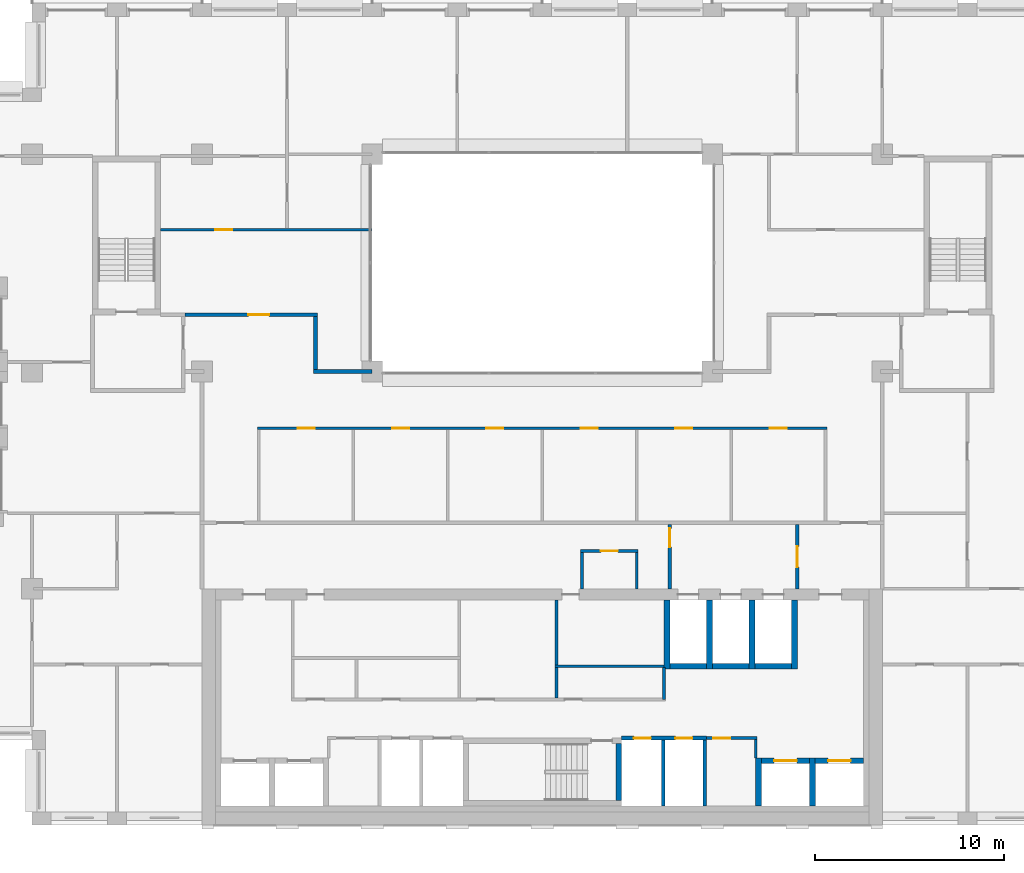
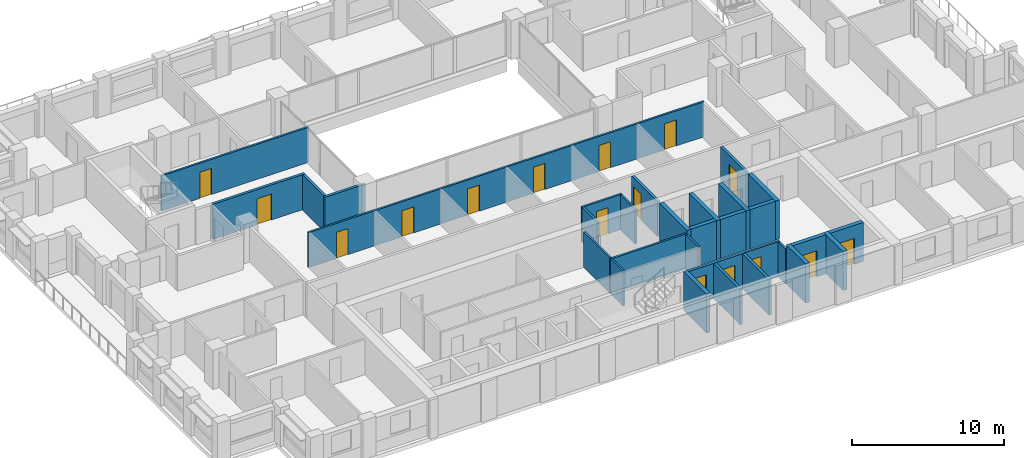
# One storey, part 10 of 15: 31 walls, 16 doors, 16 openings.
"""IFC4 building model written with IfcOpenShell, lengths in metres."""

from ifc_helpers import new_model, si_unit, direction, frame, frame_2d, origin, place, context, subcontext, project, spatial, rectangle, extrude, material, layer, layer_set, type_object, element, fill, save


model = new_model("IFC4")

# Units and contexts
model_context = context("Model", 3, precision=1e-05, world=origin(), true_north=direction((0.0, 1.0)))
body_context = subcontext(model_context, "Body", "Model", "MODEL_VIEW")
ifc_project = project(units=[si_unit("LENGTHUNIT", "METRE"), si_unit("AREAUNIT", "SQUARE_METRE"), si_unit("VOLUMEUNIT", "CUBIC_METRE"), si_unit("PLANEANGLEUNIT", "RADIAN"), si_unit("MASSUNIT", "GRAM", prefix="KILO")], contexts=[model_context])

# Site, building, storey
site_placement = place(None, origin())
site = spatial("IfcSite", under=ifc_project, at=site_placement, CompositionType="ELEMENT")
building_placement = place(site_placement, origin())
building = spatial("IfcBuilding", under=site, at=building_placement, Name="Brigalow Station Residences", CompositionType="ELEMENT")
storey_placement = place(building_placement, frame((0.0, 0.0, 153.89990234375)))
storey = spatial("IfcBuildingStorey", under=building, at=storey_placement, Name="L44", CompositionType="ELEMENT", Elevation=153.89990234375)

# Walls
ifc_material_1 = material(Name="Concrete C65", Category="concrete")
ifc_layer_1 = layer(ifc_material_1, 0.300048828125)
ifc_layer_set_1 = layer_set([ifc_layer_1], Name="CORE SHEAR WALL 300 C65")
wall_type_1 = type_object("IfcWallType", Name="CORE SHEAR WALL 300 C65", PredefinedType="SHEAR", material=ifc_layer_set_1)
wall_1_placement = place(storey_placement, frame((42.75, 8.39990234375, 0.0), z_axis=(0.0, 0.0, 1.0), x_axis=(1.0, 0.0, 0.0)))
element("IfcWall", 1, at=wall_1_placement, inside=storey, type_object=wall_type_1, Name="CORE WALL SH-FF1-S L44", PredefinedType="SHEAR", context=body_context, shape_type="SweptSolid", body=[
    extrude(rectangle(XDim=1.949951171875, YDim=0.300048828125, at=frame_2d((0.97509765625, 0.0))), origin(), (0.0, 0.0, 1.0), 3.150146484375),
])
wall_2_placement = place(storey_placement, frame((42.60009765625, 8.25, 0.0), z_axis=(0.0, 0.0, 1.0), x_axis=(0.0, 1.0, 0.0)))
element("IfcWall", 2, at=wall_2_placement, inside=storey, type_object=wall_type_1, Name="CORE WALL SH-FF1-W L44", PredefinedType="SHEAR", context=body_context, shape_type="SweptSolid", body=[
    extrude(rectangle(XDim=3.64990234375, YDim=0.300048828125, at=frame_2d((1.824951171875, 0.0))), origin(), (0.0, 0.0, 1.0), 3.150146484375),
])
wall_3_placement = place(storey_placement, frame((45.0, 8.39990234375, 0.0), z_axis=(0.0, 0.0, 1.0), x_axis=(1.0, 0.0, 0.0)))
element("IfcWall", 3, at=wall_3_placement, inside=storey, type_object=wall_type_1, Name="CORE WALL SH-FF2-S L44", PredefinedType="SHEAR", context=body_context, shape_type="SweptSolid", body=[
    extrude(rectangle(XDim=1.949951171875, YDim=0.300048828125, at=frame_2d((0.97509765625, 0.0))), origin(), (0.0, 0.0, 1.0), 3.150146484375),
])
wall_4_placement = place(storey_placement, frame((44.85009765625, 8.25, 0.0), z_axis=(0.0, 0.0, 1.0), x_axis=(0.0, 1.0, 0.0)))
element("IfcWall", 4, at=wall_4_placement, inside=storey, type_object=wall_type_1, Name="CORE WALL SH-FF2-W L44", PredefinedType="SHEAR", context=body_context, shape_type="SweptSolid", body=[
    extrude(rectangle(XDim=3.64990234375, YDim=0.300048828125, at=frame_2d((1.824951171875, 0.0))), origin(), (0.0, 0.0, 1.0), 3.150146484375),
])
wall_5_placement = place(storey_placement, frame((47.25, 8.39990234375, 0.0), z_axis=(0.0, 0.0, 1.0), x_axis=(1.0, 0.0, 0.0)))
element("IfcWall", 5, at=wall_5_placement, inside=storey, type_object=wall_type_1, Name="CORE WALL SH-SL1-S L44", PredefinedType="SHEAR", context=body_context, shape_type="SweptSolid", body=[
    extrude(rectangle(XDim=1.949951171875, YDim=0.300048828125, at=frame_2d((0.97509765625, 0.0))), origin(), (0.0, 0.0, 1.0), 3.150146484375),
])
for number, where, z_axis, x_axis, name in (
    (6, (47.10009765625, 8.25, 0.0), (0.0, 0.0, 1.0), (0.0, 1.0, 0.0), "CORE WALL SH-SL1-W L44"),
    (7, (49.35009765625, 8.25, 0.0), (0.0, 0.0, 1.0), (0.0, 1.0, 0.0), "CORE WALL SH-SL1-E L44"),
):
    element("IfcWall", number, at=place(storey_placement, frame(where, z_axis=z_axis, x_axis=x_axis)), inside=storey, type_object=wall_type_1, Name=name, PredefinedType="SHEAR", context=body_context, shape_type="SweptSolid", body=[
        extrude(rectangle(XDim=3.64990234375, YDim=0.300048828125, at=frame_2d((1.824951171875, 0.0))), origin(), (0.0, 0.0, 1.0), 3.150146484375),
    ])

# Wall, opening, door
wall_6_placement = place(storey_placement, frame((47.60009765625, 3.39990234375, 0.0), z_axis=(0.0, 0.0, 1.0), x_axis=(1.0, 0.0, 0.0)))
wall_6 = element("IfcWall", 8, at=wall_6_placement, inside=storey, type_object=wall_type_1, Name="CORE WALL SH-C3-N L44", PredefinedType="SHEAR", context=body_context, shape_type="SweptSolid", body=[
    extrude(rectangle(XDim=2.5498046875, YDim=0.300048828125, at=frame_2d((1.27490234375, 0.0))), origin(), (0.0, 0.0, 1.0), 3.150146484375),
])
opening_1_placement = place(wall_6_placement, frame((0.675048828125, 0.0, 0.0)))
opening_1 = element("IfcOpeningElement", 9, at=opening_1_placement, cuts=wall_6, Name="Opening LD-LB3", PredefinedType="OPENING", context=body_context, shape_type="SweptSolid", body=[
    extrude(rectangle(XDim=1.199951171875, YDim=2.10009765625, at=frame_2d((0.60009765625, 1.050048828125))), frame((0.0, 0.16015625, 0.0), z_axis=(0.0, -1.0, 0.0), x_axis=(1.0, 0.0, 0.0)), (0.0, 0.0, 1.0), 0.320068359375),
])
ifc_material_2 = material(Name="Stainless steel sliding door leaves", Category="steel")
door_type_1 = type_object("IfcDoorType", Name="LIFT LANDING DOOR 1200 x 2100", OperationType="DOUBLE_DOOR_SLIDING", PredefinedType="DOOR", material=ifc_material_2)
door_1_placement = place(opening_1_placement, origin())
door_1 = element("IfcDoor", 10, at=door_1_placement, inside=storey, type_object=door_type_1, Name="LANDING DOOR LB3", OperationType="DOUBLE_DOOR_SLIDING", OverallHeight=2.10009765625, OverallWidth=1.199951171875, PredefinedType="DOOR", context=body_context, shape_type="SweptSolid", body=[
    extrude(rectangle(XDim=1.199951171875, YDim=2.10009765625, at=frame_2d((0.60009765625, 1.050048828125))), frame((0.0, 0.02490234375, 0.0), z_axis=(0.0, -1.0, 0.0), x_axis=(1.0, 0.0, 0.0)), (0.0, 0.0, 1.0), 0.050048828125),
])
fill(opening_1, door_1)

# Wall
wall_7_placement = place(storey_placement, frame((47.449951171875, 1.0, 0.0), z_axis=(0.0, 0.0, 1.0), x_axis=(0.0, 1.0, 0.0)))
element("IfcWall", 11, at=wall_7_placement, inside=storey, type_object=wall_type_1, Name="CORE WALL SH-C3-W L44", PredefinedType="SHEAR", context=body_context, shape_type="SweptSolid", body=[
    extrude(rectangle(XDim=2.550048828125, YDim=0.300048828125, at=frame_2d((1.27490234375, 0.0))), origin(), (0.0, 0.0, 1.0), 3.150146484375),
])

# Wall, opening, door
wall_8_placement = place(storey_placement, frame((50.449951171875, 3.39990234375, 0.0), z_axis=(0.0, 0.0, 1.0), x_axis=(1.0, 0.0, 0.0)))
wall_8 = element("IfcWall", 12, at=wall_8_placement, inside=storey, type_object=wall_type_1, Name="CORE WALL SH-C4-N L44", PredefinedType="SHEAR", context=body_context, shape_type="SweptSolid", body=[
    extrude(rectangle(XDim=2.550048828125, YDim=0.300048828125, at=frame_2d((1.27490234375, 0.0))), origin(), (0.0, 0.0, 1.0), 3.150146484375),
])
opening_2_placement = place(wall_8_placement, frame((0.675048828125, 0.0, 0.0)))
opening_2 = element("IfcOpeningElement", 13, at=opening_2_placement, cuts=wall_8, Name="Opening LD-LB4", PredefinedType="OPENING", context=body_context, shape_type="SweptSolid", body=[
    extrude(rectangle(XDim=1.199951171875, YDim=2.10009765625, at=frame_2d((0.60009765625, 1.050048828125))), frame((0.0, 0.16015625, 0.0), z_axis=(0.0, -1.0, 0.0), x_axis=(1.0, 0.0, 0.0)), (0.0, 0.0, 1.0), 0.320068359375),
])
door_2_placement = place(opening_2_placement, origin())
door_2 = element("IfcDoor", 14, at=door_2_placement, inside=storey, type_object=door_type_1, Name="LANDING DOOR LB4", OperationType="DOUBLE_DOOR_SLIDING", OverallHeight=2.10009765625, OverallWidth=1.199951171875, PredefinedType="DOOR", context=body_context, shape_type="SweptSolid", body=[
    extrude(rectangle(XDim=1.199951171875, YDim=2.10009765625, at=frame_2d((0.60009765625, 1.050048828125))), frame((0.0, 0.02490234375, 0.0), z_axis=(0.0, -1.0, 0.0), x_axis=(1.0, 0.0, 0.0)), (0.0, 0.0, 1.0), 0.050048828125),
])
fill(opening_2, door_2)

# Walls
wall_9_placement = place(storey_placement, frame((50.300048828125, 1.0, 0.0), z_axis=(0.0, 0.0, 1.0), x_axis=(0.0, 1.0, 0.0)))
element("IfcWall", 15, at=wall_9_placement, inside=storey, type_object=wall_type_1, Name="CORE WALL SH-C4-W L44", PredefinedType="SHEAR", context=body_context, shape_type="SweptSolid", body=[
    extrude(rectangle(XDim=2.550048828125, YDim=0.300048828125, at=frame_2d((1.27490234375, 0.0))), origin(), (0.0, 0.0, 1.0), 3.150146484375),
])
wall_10_placement = place(storey_placement, frame((40.050048828125, 1.300048828125, 0.0), z_axis=(0.0, 0.0, 1.0), x_axis=(0.0, 1.0, 0.0)))
element("IfcWall", 16, at=wall_10_placement, inside=storey, type_object=wall_type_1, Name="CORE WALL ST-S2-E L44", PredefinedType="SHEAR", context=body_context, shape_type="SweptSolid", body=[
    extrude(rectangle(XDim=3.0, YDim=0.300048828125, at=frame_2d((1.5, 0.0))), origin(), (0.0, 0.0, 1.0), 3.150146484375),
])

# Wall, openings, doors
ifc_material_3 = material(Name="Concrete blockwork", Category="masonry")
ifc_layer_2 = layer(ifc_material_3, 0.199951171875)
ifc_layer_set_2 = layer_set([ifc_layer_2], Name="FIRE RATED CORE PARTITION 200")
wall_type_2 = type_object("IfcWallType", Name="FIRE RATED CORE PARTITION 200", PredefinedType="PARTITIONING", material=ifc_layer_set_2)
wall_11_placement = place(storey_placement, frame((40.199951171875, 4.60009765625, 0.0), z_axis=(0.0, 0.0, 1.0), x_axis=(1.0, 0.0, 0.0)))
wall_11 = element("IfcWall", 17, at=wall_11_placement, inside=storey, type_object=wall_type_2, Name="PW-5018", PredefinedType="PARTITIONING", context=body_context, shape_type="SweptSolid", body=[
    extrude(rectangle(XDim=4.5, YDim=0.199951171875, at=frame_2d((2.25, 0.0))), origin(), (0.0, 0.0, 1.0), 2.830078125),
])
opening_3_placement = place(wall_11_placement, frame((0.64990234375, 0.0, 0.0)))
opening_3 = element("IfcOpeningElement", 18, at=opening_3_placement, cuts=wall_11, Name="Opening D-5009", PredefinedType="OPENING", context=body_context, shape_type="SweptSolid", body=[
    extrude(rectangle(XDim=0.89990234375, YDim=2.10009765625, at=frame_2d((0.449951171875, 1.050048828125))), frame((0.0, 0.10986328125, 0.0), z_axis=(0.0, -1.0, 0.0), x_axis=(1.0, 0.0, 0.0)), (0.0, 0.0, 1.0), 0.219970703125),
])
opening_4_placement = place(wall_11_placement, frame((2.85009765625, 0.0, 0.0)))
opening_4 = element("IfcOpeningElement", 19, at=opening_4_placement, cuts=wall_11, Name="Opening D-5010", PredefinedType="OPENING", context=body_context, shape_type="SweptSolid", body=[
    extrude(rectangle(XDim=0.89990234375, YDim=2.10009765625, at=frame_2d((0.449951171875, 1.050048828125))), frame((0.0, 0.10986328125, 0.0), z_axis=(0.0, -1.0, 0.0), x_axis=(1.0, 0.0, 0.0)), (0.0, 0.0, 1.0), 0.219970703125),
])
ifc_material_4 = material(Name="Steel fire door leaf in steel frame", Category="steel")
door_type_2 = type_object("IfcDoorType", Name="RISER ACCESS DOOR 900 x 2100 FD120", OperationType="SINGLE_SWING_LEFT", PredefinedType="DOOR", material=ifc_material_4)
door_3_placement = place(opening_3_placement, frame((0.89990234375, 0.0, 0.0), z_axis=(0.0, 0.0, 1.0), x_axis=(-1.0, 0.0, 0.0)))
door_3 = element("IfcDoor", 20, at=door_3_placement, inside=storey, type_object=door_type_2, Name="D-5009", OperationType="SINGLE_SWING_LEFT", OverallHeight=2.10009765625, OverallWidth=0.89990234375, PredefinedType="DOOR", context=body_context, shape_type="SweptSolid", body=[
    extrude(rectangle(XDim=0.89990234375, YDim=2.10009765625, at=frame_2d((0.449951171875, 1.050048828125))), frame((0.0, 0.02490234375, 0.0), z_axis=(0.0, -1.0, 0.0), x_axis=(1.0, 0.0, 0.0)), (0.0, 0.0, 1.0), 0.050048828125),
])
fill(opening_3, door_3)
door_4_placement = place(opening_4_placement, frame((0.89990234375, 0.0, 0.0), z_axis=(0.0, 0.0, 1.0), x_axis=(-1.0, 0.0, 0.0)))
door_4 = element("IfcDoor", 21, at=door_4_placement, inside=storey, type_object=door_type_2, Name="D-5010", OperationType="SINGLE_SWING_LEFT", OverallHeight=2.10009765625, OverallWidth=0.89990234375, PredefinedType="DOOR", context=body_context, shape_type="SweptSolid", body=[
    extrude(rectangle(XDim=0.89990234375, YDim=2.10009765625, at=frame_2d((0.449951171875, 1.050048828125))), frame((0.0, 0.02490234375, 0.0), z_axis=(0.0, -1.0, 0.0), x_axis=(1.0, 0.0, 0.0)), (0.0, 0.0, 1.0), 0.050048828125),
])
fill(opening_4, door_4)

# Walls
for number, where, z_axis, x_axis, name in (
    (22, (42.39990234375, 1.0, 0.0), (0.0, 0.0, 1.0), (0.0, 1.0, 0.0), "PW-5007"),
    (23, (44.60009765625, 1.0, 0.0), (0.0, 0.0, 1.0), (0.0, 1.0, 0.0), "PW-5008"),
):
    element("IfcWall", number, at=place(storey_placement, frame(where, z_axis=z_axis, x_axis=x_axis)), inside=storey, type_object=wall_type_2, Name=name, PredefinedType="PARTITIONING", context=body_context, shape_type="SweptSolid", body=[
        extrude(rectangle(XDim=3.5, YDim=0.199951171875, at=frame_2d((1.75, 0.0))), origin(), (0.0, 0.0, 1.0), 2.830078125),
    ])

# Wall, opening, door
wall_12_placement = place(storey_placement, frame((42.75, 12.5, 0.0), z_axis=(0.0, 0.0, 1.0), x_axis=(0.0, 1.0, 0.0)))
wall_12 = element("IfcWall", 24, at=wall_12_placement, inside=storey, type_object=wall_type_2, Name="PW-5014", PredefinedType="PARTITIONING", context=body_context, shape_type="SweptSolid", body=[
    extrude(rectangle(XDim=3.39990234375, YDim=0.199951171875, at=frame_2d((1.699951171875, 0.0))), origin(), (0.0, 0.0, 1.0), 2.830078125),
])
opening_5_placement = place(wall_12_placement, frame((2.199951171875, 0.0, 0.0)))
opening_5 = element("IfcOpeningElement", 25, at=opening_5_placement, cuts=wall_12, Name="Opening D-5013", PredefinedType="OPENING", context=body_context, shape_type="SweptSolid", body=[
    extrude(rectangle(XDim=1.0, YDim=2.10009765625, at=frame_2d((0.5, 1.050048828125))), frame((0.0, 0.10986328125, 0.0), z_axis=(0.0, -1.0, 0.0), x_axis=(1.0, 0.0, 0.0)), (0.0, 0.0, 1.0), 0.219970703125),
])
ifc_material_5 = material(Name="Steel fire door leaf in steel frame", Category="steel")
door_type_3 = type_object("IfcDoorType", Name="LOBBY DOOR 1000 x 2100 FD60S", OperationType="SINGLE_SWING_LEFT", PredefinedType="DOOR", material=ifc_material_5)
door_5_placement = place(opening_5_placement, origin())
door_5 = element("IfcDoor", 26, at=door_5_placement, inside=storey, type_object=door_type_3, Name="D-5013", OperationType="SINGLE_SWING_RIGHT", OverallHeight=2.10009765625, OverallWidth=1.0, PredefinedType="DOOR", context=body_context, shape_type="SweptSolid", body=[
    extrude(rectangle(XDim=1.0, YDim=2.10009765625, at=frame_2d((0.5, 1.050048828125))), frame((0.0, 0.02490234375, 0.0), z_axis=(0.0, -1.0, 0.0), x_axis=(1.0, 0.0, 0.0)), (0.0, 0.0, 1.0), 0.050048828125),
])
fill(opening_5, door_5)

wall_13_placement = place(storey_placement, frame((49.5, 12.5, 0.0), z_axis=(0.0, 0.0, 1.0), x_axis=(0.0, 1.0, 0.0)))
wall_13 = element("IfcWall", 27, at=wall_13_placement, inside=storey, type_object=wall_type_2, Name="PW-5015", PredefinedType="PARTITIONING", context=body_context, shape_type="SweptSolid", body=[
    extrude(rectangle(XDim=3.39990234375, YDim=0.199951171875, at=frame_2d((1.699951171875, 0.0))), origin(), (0.0, 0.0, 1.0), 2.830078125),
])
opening_6_placement = place(wall_13_placement, frame((1.14990234375, 0.0, 0.0)))
opening_6 = element("IfcOpeningElement", 28, at=opening_6_placement, cuts=wall_13, Name="Opening D-5014", PredefinedType="OPENING", context=body_context, shape_type="SweptSolid", body=[
    extrude(rectangle(XDim=1.10009765625, YDim=2.10009765625, at=frame_2d((0.550048828125, 1.050048828125))), frame((0.0, 0.10986328125, 0.0), z_axis=(0.0, -1.0, 0.0), x_axis=(1.0, 0.0, 0.0)), (0.0, 0.0, 1.0), 0.219970703125),
])
ifc_material_6 = material(Name="Steel fire door leaf in steel frame", Category="steel")
door_type_4 = type_object("IfcDoorType", Name="LOBBY DOOR 1100 x 2100 FD60S", OperationType="SINGLE_SWING_LEFT", PredefinedType="DOOR", material=ifc_material_6)
door_6_placement = place(opening_6_placement, origin())
door_6 = element("IfcDoor", 29, at=door_6_placement, inside=storey, type_object=door_type_4, Name="D-5014", OperationType="SINGLE_SWING_LEFT", OverallHeight=2.10009765625, OverallWidth=1.10009765625, PredefinedType="DOOR", context=body_context, shape_type="SweptSolid", body=[
    extrude(rectangle(XDim=1.10009765625, YDim=2.10009765625, at=frame_2d((0.550048828125, 1.050048828125))), frame((0.0, 0.02490234375, 0.0), z_axis=(0.0, -1.0, 0.0), x_axis=(1.0, 0.0, 0.0)), (0.0, 0.0, 1.0), 0.050048828125),
])
fill(opening_6, door_6)

# Wall, openings, doors
ifc_material_7 = material(Name="Plasterboard on steel stud partition", Category="steel")
ifc_layer_3 = layer(ifc_material_7, 0.14990234375)
ifc_layer_set_3 = layer_set([ifc_layer_3], Name="FLAT PARTITION 150")
wall_type_3 = type_object("IfcWallType", Name="FLAT PARTITION 150", PredefinedType="PARTITIONING", material=ifc_layer_set_3)
wall_14_placement = place(storey_placement, frame((20.925048828125, 21.0, 0.0), z_axis=(0.0, 0.0, 1.0), x_axis=(1.0, 0.0, 0.0)))
wall_14 = element("IfcWall", 30, at=wall_14_placement, inside=storey, type_object=wall_type_3, Name="PW-3B05", PredefinedType="PARTITIONING", context=body_context, shape_type="SweptSolid", body=[
    extrude(rectangle(XDim=30.14990234375, YDim=0.14990234375, at=frame_2d((15.074951171875, 0.0))), origin(), (0.0, 0.0, 1.0), 2.830078125),
])
opening_7_placement = place(wall_14_placement, frame((2.125, 0.0, 0.0)))
opening_7 = element("IfcOpeningElement", 31, at=opening_7_placement, cuts=wall_14, Name="Opening D-3B36", PredefinedType="OPENING", context=body_context, shape_type="SweptSolid", body=[
    extrude(rectangle(XDim=0.89990234375, YDim=2.10009765625, at=frame_2d((0.449951171875, 1.050048828125))), frame((0.0, 0.0849609375, 0.0), z_axis=(0.0, -1.0, 0.0), x_axis=(1.0, 0.0, 0.0)), (0.0, 0.0, 1.0), 0.169921875),
])
opening_8_placement = place(wall_14_placement, frame((7.125, 0.0, 0.0)))
opening_8 = element("IfcOpeningElement", 32, at=opening_8_placement, cuts=wall_14, Name="Opening D-3B37", PredefinedType="OPENING", context=body_context, shape_type="SweptSolid", body=[
    extrude(rectangle(XDim=0.89990234375, YDim=2.10009765625, at=frame_2d((0.449951171875, 1.050048828125))), frame((0.0, 0.0849609375, 0.0), z_axis=(0.0, -1.0, 0.0), x_axis=(1.0, 0.0, 0.0)), (0.0, 0.0, 1.0), 0.169921875),
])
opening_9_placement = place(wall_14_placement, frame((12.125, 0.0, 0.0)))
opening_9 = element("IfcOpeningElement", 33, at=opening_9_placement, cuts=wall_14, Name="Opening D-3B38", PredefinedType="OPENING", context=body_context, shape_type="SweptSolid", body=[
    extrude(rectangle(XDim=0.89990234375, YDim=2.10009765625, at=frame_2d((0.449951171875, 1.050048828125))), frame((0.0, 0.0849609375, 0.0), z_axis=(0.0, -1.0, 0.0), x_axis=(1.0, 0.0, 0.0)), (0.0, 0.0, 1.0), 0.169921875),
])
opening_10_placement = place(wall_14_placement, frame((17.125, 0.0, 0.0)))
opening_10 = element("IfcOpeningElement", 34, at=opening_10_placement, cuts=wall_14, Name="Opening D-3B39", PredefinedType="OPENING", context=body_context, shape_type="SweptSolid", body=[
    extrude(rectangle(XDim=0.89990234375, YDim=2.10009765625, at=frame_2d((0.449951171875, 1.050048828125))), frame((0.0, 0.0849609375, 0.0), z_axis=(0.0, -1.0, 0.0), x_axis=(1.0, 0.0, 0.0)), (0.0, 0.0, 1.0), 0.169921875),
])
opening_11_placement = place(wall_14_placement, frame((22.125, 0.0, 0.0)))
opening_11 = element("IfcOpeningElement", 35, at=opening_11_placement, cuts=wall_14, Name="Opening D-3B40", PredefinedType="OPENING", context=body_context, shape_type="SweptSolid", body=[
    extrude(rectangle(XDim=0.89990234375, YDim=2.10009765625, at=frame_2d((0.449951171875, 1.050048828125))), frame((0.0, 0.0849609375, 0.0), z_axis=(0.0, -1.0, 0.0), x_axis=(1.0, 0.0, 0.0)), (0.0, 0.0, 1.0), 0.169921875),
])
opening_12_placement = place(wall_14_placement, frame((27.125, 0.0, 0.0)))
opening_12 = element("IfcOpeningElement", 36, at=opening_12_placement, cuts=wall_14, Name="Opening D-3B41", PredefinedType="OPENING", context=body_context, shape_type="SweptSolid", body=[
    extrude(rectangle(XDim=0.89990234375, YDim=2.10009765625, at=frame_2d((0.449951171875, 1.050048828125))), frame((0.0, 0.0849609375, 0.0), z_axis=(0.0, -1.0, 0.0), x_axis=(1.0, 0.0, 0.0)), (0.0, 0.0, 1.0), 0.169921875),
])
ifc_material_8 = material(Name="Solid-core timber door leaf", Category="wood")
door_type_5 = type_object("IfcDoorType", Name="INTERNAL DOOR 900 x 2100", OperationType="SINGLE_SWING_LEFT", PredefinedType="DOOR", material=ifc_material_8)
door_7_placement = place(opening_7_placement, frame((0.89990234375, 0.0, 0.0), z_axis=(0.0, 0.0, 1.0), x_axis=(-1.0, 0.0, 0.0)))
door_7 = element("IfcDoor", 37, at=door_7_placement, inside=storey, type_object=door_type_5, Name="D-3B36", OperationType="SINGLE_SWING_RIGHT", OverallHeight=2.10009765625, OverallWidth=0.89990234375, PredefinedType="DOOR", context=body_context, shape_type="SweptSolid", body=[
    extrude(rectangle(XDim=0.89990234375, YDim=2.10009765625, at=frame_2d((0.449951171875, 1.050048828125))), frame((0.0, 0.02490234375, 0.0), z_axis=(0.0, -1.0, 0.0), x_axis=(1.0, 0.0, 0.0)), (0.0, 0.0, 1.0), 0.050048828125),
])
fill(opening_7, door_7)
door_8_placement = place(opening_8_placement, frame((0.89990234375, 0.0, 0.0), z_axis=(0.0, 0.0, 1.0), x_axis=(-1.0, 0.0, 0.0)))
door_8 = element("IfcDoor", 38, at=door_8_placement, inside=storey, type_object=door_type_5, Name="D-3B37", OperationType="SINGLE_SWING_RIGHT", OverallHeight=2.10009765625, OverallWidth=0.89990234375, PredefinedType="DOOR", context=body_context, shape_type="SweptSolid", body=[
    extrude(rectangle(XDim=0.89990234375, YDim=2.10009765625, at=frame_2d((0.449951171875, 1.050048828125))), frame((0.0, 0.02490234375, 0.0), z_axis=(0.0, -1.0, 0.0), x_axis=(1.0, 0.0, 0.0)), (0.0, 0.0, 1.0), 0.050048828125),
])
fill(opening_8, door_8)
door_9_placement = place(opening_9_placement, frame((0.89990234375, 0.0, 0.0), z_axis=(0.0, 0.0, 1.0), x_axis=(-1.0, 0.0, 0.0)))
door_9 = element("IfcDoor", 39, at=door_9_placement, inside=storey, type_object=door_type_5, Name="D-3B38", OperationType="SINGLE_SWING_LEFT", OverallHeight=2.10009765625, OverallWidth=0.89990234375, PredefinedType="DOOR", context=body_context, shape_type="SweptSolid", body=[
    extrude(rectangle(XDim=0.89990234375, YDim=2.10009765625, at=frame_2d((0.449951171875, 1.050048828125))), frame((0.0, 0.02490234375, 0.0), z_axis=(0.0, -1.0, 0.0), x_axis=(1.0, 0.0, 0.0)), (0.0, 0.0, 1.0), 0.050048828125),
])
fill(opening_9, door_9)
door_10_placement = place(opening_10_placement, frame((0.89990234375, 0.0, 0.0), z_axis=(0.0, 0.0, 1.0), x_axis=(-1.0, 0.0, 0.0)))
door_10 = element("IfcDoor", 40, at=door_10_placement, inside=storey, type_object=door_type_5, Name="D-3B39", OperationType="SINGLE_SWING_LEFT", OverallHeight=2.10009765625, OverallWidth=0.89990234375, PredefinedType="DOOR", context=body_context, shape_type="SweptSolid", body=[
    extrude(rectangle(XDim=0.89990234375, YDim=2.10009765625, at=frame_2d((0.449951171875, 1.050048828125))), frame((0.0, 0.02490234375, 0.0), z_axis=(0.0, -1.0, 0.0), x_axis=(1.0, 0.0, 0.0)), (0.0, 0.0, 1.0), 0.050048828125),
])
fill(opening_10, door_10)
door_11_placement = place(opening_11_placement, frame((0.89990234375, 0.0, 0.0), z_axis=(0.0, 0.0, 1.0), x_axis=(-1.0, 0.0, 0.0)))
door_11 = element("IfcDoor", 41, at=door_11_placement, inside=storey, type_object=door_type_5, Name="D-3B40", OperationType="SINGLE_SWING_LEFT", OverallHeight=2.10009765625, OverallWidth=0.89990234375, PredefinedType="DOOR", context=body_context, shape_type="SweptSolid", body=[
    extrude(rectangle(XDim=0.89990234375, YDim=2.10009765625, at=frame_2d((0.449951171875, 1.050048828125))), frame((0.0, 0.02490234375, 0.0), z_axis=(0.0, -1.0, 0.0), x_axis=(1.0, 0.0, 0.0)), (0.0, 0.0, 1.0), 0.050048828125),
])
fill(opening_11, door_11)
door_12_placement = place(opening_12_placement, frame((0.89990234375, 0.0, 0.0), z_axis=(0.0, 0.0, 1.0), x_axis=(-1.0, 0.0, 0.0)))
door_12 = element("IfcDoor", 42, at=door_12_placement, inside=storey, type_object=door_type_5, Name="D-3B41", OperationType="SINGLE_SWING_RIGHT", OverallHeight=2.10009765625, OverallWidth=0.89990234375, PredefinedType="DOOR", context=body_context, shape_type="SweptSolid", body=[
    extrude(rectangle(XDim=0.89990234375, YDim=2.10009765625, at=frame_2d((0.449951171875, 1.050048828125))), frame((0.0, 0.02490234375, 0.0), z_axis=(0.0, -1.0, 0.0), x_axis=(1.0, 0.0, 0.0)), (0.0, 0.0, 1.0), 0.050048828125),
])
fill(opening_12, door_12)

# Wall, opening, door
wall_15_placement = place(storey_placement, frame((15.800048828125, 31.5, 0.0), z_axis=(0.0, 0.0, 1.0), x_axis=(1.0, 0.0, 0.0)))
wall_15 = element("IfcWall", 43, at=wall_15_placement, inside=storey, type_object=wall_type_3, Name="PW-3B08", PredefinedType="PARTITIONING", context=body_context, shape_type="SweptSolid", body=[
    extrude(rectangle(XDim=11.199951171875, YDim=0.14990234375, at=frame_2d((5.60009765625, 0.0))), origin(), (0.0, 0.0, 1.0), 2.830078125),
])
opening_13_placement = place(wall_15_placement, frame((2.89990234375, 0.0, 0.0)))
opening_13 = element("IfcOpeningElement", 44, at=opening_13_placement, cuts=wall_15, Name="Opening D-3B04", PredefinedType="OPENING", context=body_context, shape_type="SweptSolid", body=[
    extrude(rectangle(XDim=0.89990234375, YDim=2.10009765625, at=frame_2d((0.449951171875, 1.050048828125))), frame((0.0, 0.0849609375, 0.0), z_axis=(0.0, -1.0, 0.0), x_axis=(1.0, 0.0, 0.0)), (0.0, 0.0, 1.0), 0.169921875),
])
door_13_placement = place(opening_13_placement, origin())
door_13 = element("IfcDoor", 45, at=door_13_placement, inside=storey, type_object=door_type_5, Name="D-3B04", OperationType="SINGLE_SWING_RIGHT", OverallHeight=2.10009765625, OverallWidth=0.89990234375, PredefinedType="DOOR", context=body_context, shape_type="SweptSolid", body=[
    extrude(rectangle(XDim=0.89990234375, YDim=2.10009765625, at=frame_2d((0.449951171875, 1.050048828125))), frame((0.0, 0.02490234375, 0.0), z_axis=(0.0, -1.0, 0.0), x_axis=(1.0, 0.0, 0.0)), (0.0, 0.0, 1.0), 0.050048828125),
])
fill(opening_13, door_13)

# Wall
ifc_material_9 = material(Name="Plasterboard on steel stud partition", Category="steel")
ifc_layer_4 = layer(ifc_material_9, 0.199951171875)
ifc_layer_set_4 = layer_set([ifc_layer_4], Name="PARTY AND CORRIDOR WALL 200")
wall_type_4 = type_object("IfcWallType", Name="PARTY AND CORRIDOR WALL 200", PredefinedType="PARTITIONING", material=ifc_layer_set_4)
wall_16_placement = place(storey_placement, frame((23.89990234375, 24.0, 0.0), z_axis=(0.0, 0.0, 1.0), x_axis=(1.0, 0.0, 0.0)))
element("IfcWall", 46, at=wall_16_placement, inside=storey, type_object=wall_type_4, Name="PW-3B02", PredefinedType="PARTITIONING", context=body_context, shape_type="SweptSolid", body=[
    extrude(rectangle(XDim=3.10009765625, YDim=0.199951171875, at=frame_2d((1.550048828125, 0.0))), origin(), (0.0, 0.0, 1.0), 2.830078125),
])

# Wall, opening, door
wall_17_placement = place(storey_placement, frame((17.10009765625, 27.0, 0.0), z_axis=(0.0, 0.0, 1.0), x_axis=(1.0, 0.0, 0.0)))
wall_17 = element("IfcWall", 47, at=wall_17_placement, inside=storey, type_object=wall_type_4, Name="PW-3B06", PredefinedType="PARTITIONING", context=body_context, shape_type="SweptSolid", body=[
    extrude(rectangle(XDim=7.0, YDim=0.199951171875, at=frame_2d((3.5, 0.0))), origin(), (0.0, 0.0, 1.0), 2.830078125),
])
opening_14_placement = place(wall_17_placement, frame((3.35009765625, 0.0, 0.0)))
opening_14 = element("IfcOpeningElement", 48, at=opening_14_placement, cuts=wall_17, Name="Opening D-3B03", PredefinedType="OPENING", context=body_context, shape_type="SweptSolid", body=[
    extrude(rectangle(XDim=1.10009765625, YDim=2.10009765625, at=frame_2d((0.550048828125, 1.050048828125))), frame((0.0, 0.10986328125, 0.0), z_axis=(0.0, -1.0, 0.0), x_axis=(1.0, 0.0, 0.0)), (0.0, 0.0, 1.0), 0.219970703125),
])
ifc_material_10 = material(Name="Solid-core timber door leaf", Category="wood")
door_type_6 = type_object("IfcDoorType", Name="FLAT ENTRANCE DOOR 1100 x 2100 FRL -/60/30", OperationType="SINGLE_SWING_LEFT", PredefinedType="DOOR", material=ifc_material_10)
door_14_placement = place(opening_14_placement, origin())
door_14 = element("IfcDoor", 49, at=door_14_placement, inside=storey, type_object=door_type_6, Name="D-3B03", OperationType="SINGLE_SWING_LEFT", OverallHeight=2.10009765625, OverallWidth=1.10009765625, PredefinedType="DOOR", context=body_context, shape_type="SweptSolid", body=[
    extrude(rectangle(XDim=1.10009765625, YDim=2.10009765625, at=frame_2d((0.550048828125, 1.050048828125))), frame((0.0, 0.02490234375, 0.0), z_axis=(0.0, -1.0, 0.0), x_axis=(1.0, 0.0, 0.0)), (0.0, 0.0, 1.0), 0.050048828125),
])
fill(opening_14, door_14)

# Wall
wall_18_placement = place(storey_placement, frame((24.0, 24.10009765625, 0.0), z_axis=(0.0, 0.0, 1.0), x_axis=(0.0, 1.0, 0.0)))
element("IfcWall", 50, at=wall_18_placement, inside=storey, type_object=wall_type_4, Name="PW-3B32", PredefinedType="PARTITIONING", context=body_context, shape_type="SweptSolid", body=[
    extrude(rectangle(XDim=2.7998046875, YDim=0.199951171875, at=frame_2d((1.39990234375, 0.0))), origin(), (0.0, 0.0, 1.0), 2.830078125),
])

# Wall, opening, door
ifc_material_11 = material(Name="Plasterboard on steel studs", Category="steel")
ifc_layer_5 = layer(ifc_material_11, 0.14990234375)
ifc_layer_set_5 = layer_set([ifc_layer_5], Name="SERVICE ROOM PARTITION 150")
wall_type_5 = type_object("IfcWallType", Name="SERVICE ROOM PARTITION 150", PredefinedType="PARTITIONING", material=ifc_layer_set_5)
wall_19_placement = place(storey_placement, frame((44.699951171875, 4.60009765625, 0.0), z_axis=(0.0, 0.0, 1.0), x_axis=(1.0, 0.0, 0.0)))
wall_19 = element("IfcWall", 51, at=wall_19_placement, inside=storey, type_object=wall_type_5, Name="PW-5156", PredefinedType="PARTITIONING", context=body_context, shape_type="SweptSolid", body=[
    extrude(rectangle(XDim=2.675048828125, YDim=0.14990234375, at=frame_2d((1.33740234375, 0.0))), origin(), (0.0, 0.0, 1.0), 2.830078125),
])
opening_15_placement = place(wall_19_placement, frame((0.35009765625, 0.0, 0.0)))
opening_15 = element("IfcOpeningElement", 52, at=opening_15_placement, cuts=wall_19, Name="Opening D-5026", PredefinedType="OPENING", context=body_context, shape_type="SweptSolid", body=[
    extrude(rectangle(XDim=0.89990234375, YDim=2.10009765625, at=frame_2d((0.449951171875, 1.050048828125))), frame((0.0, 0.0849609375, 0.0), z_axis=(0.0, -1.0, 0.0), x_axis=(1.0, 0.0, 0.0)), (0.0, 0.0, 1.0), 0.169921875),
])
ifc_material_12 = material(Name="Steel door leaf in steel frame", Category="steel")
door_type_7 = type_object("IfcDoorType", Name="SERVICE ROOM DOOR 900 x 2100 FD60", OperationType="SINGLE_SWING_LEFT", PredefinedType="DOOR", material=ifc_material_12)
door_15_placement = place(opening_15_placement, frame((0.89990234375, 0.0, 0.0), z_axis=(0.0, 0.0, 1.0), x_axis=(-1.0, 0.0, 0.0)))
door_15 = element("IfcDoor", 53, at=door_15_placement, inside=storey, type_object=door_type_7, Name="D-5026", OperationType="SINGLE_SWING_RIGHT", OverallHeight=2.10009765625, OverallWidth=0.89990234375, PredefinedType="DOOR", context=body_context, shape_type="SweptSolid", body=[
    extrude(rectangle(XDim=0.89990234375, YDim=2.10009765625, at=frame_2d((0.449951171875, 1.050048828125))), frame((0.0, 0.02490234375, 0.0), z_axis=(0.0, -1.0, 0.0), x_axis=(1.0, 0.0, 0.0)), (0.0, 0.0, 1.0), 0.050048828125),
])
fill(opening_15, door_15)

# Wall
wall_20_placement = place(storey_placement, frame((36.675048828125, 8.39990234375, 0.0), z_axis=(0.0, 0.0, 1.0), x_axis=(1.0, 0.0, 0.0)))
element("IfcWall", 54, at=wall_20_placement, inside=storey, type_object=wall_type_5, Name="PW-5204", PredefinedType="PARTITIONING", context=body_context, shape_type="SweptSolid", body=[
    extrude(rectangle(XDim=5.77490234375, YDim=0.14990234375, at=frame_2d((2.887451171875, 0.0))), origin(), (0.0, 0.0, 1.0), 2.830078125),
])

# Wall, opening, door
wall_21_placement = place(storey_placement, frame((38.02490234375, 14.5, 0.0), z_axis=(0.0, 0.0, 1.0), x_axis=(1.0, 0.0, 0.0)))
wall_21 = element("IfcWall", 55, at=wall_21_placement, inside=storey, type_object=wall_type_5, Name="PW-5138", PredefinedType="PARTITIONING", context=body_context, shape_type="SweptSolid", body=[
    extrude(rectangle(XDim=3.050048828125, YDim=0.14990234375, at=frame_2d((1.52490234375, 0.0))), origin(), (0.0, 0.0, 1.0), 2.830078125),
])
opening_16_placement = place(wall_21_placement, frame((1.074951171875, 0.0, 0.0)))
opening_16 = element("IfcOpeningElement", 56, at=opening_16_placement, cuts=wall_21, Name="Opening D-5079", PredefinedType="OPENING", context=body_context, shape_type="SweptSolid", body=[
    extrude(rectangle(XDim=0.89990234375, YDim=2.10009765625, at=frame_2d((0.449951171875, 1.050048828125))), frame((0.0, 0.0849609375, 0.0), z_axis=(0.0, -1.0, 0.0), x_axis=(1.0, 0.0, 0.0)), (0.0, 0.0, 1.0), 0.169921875),
])
door_16_placement = place(opening_16_placement, frame((0.89990234375, 0.0, 0.0), z_axis=(0.0, 0.0, 1.0), x_axis=(-1.0, 0.0, 0.0)))
door_16 = element("IfcDoor", 57, at=door_16_placement, inside=storey, type_object=door_type_7, Name="D-5079", OperationType="SINGLE_SWING_RIGHT", OverallHeight=2.10009765625, OverallWidth=0.89990234375, PredefinedType="DOOR", context=body_context, shape_type="SweptSolid", body=[
    extrude(rectangle(XDim=0.89990234375, YDim=2.10009765625, at=frame_2d((0.449951171875, 1.050048828125))), frame((0.0, 0.02490234375, 0.0), z_axis=(0.0, -1.0, 0.0), x_axis=(1.0, 0.0, 0.0)), (0.0, 0.0, 1.0), 0.050048828125),
])
fill(opening_16, door_16)

# Walls
wall_22_placement = place(storey_placement, frame((47.300048828125, 3.550048828125, 0.0), z_axis=(0.0, 0.0, 1.0), x_axis=(0.0, 1.0, 0.0)))
element("IfcWall", 58, at=wall_22_placement, inside=storey, type_object=wall_type_5, Name="PW-5158", PredefinedType="PARTITIONING", context=body_context, shape_type="SweptSolid", body=[
    extrude(rectangle(XDim=0.974853515625, YDim=0.14990234375, at=frame_2d((0.4873046875, 0.0))), origin(), (0.0, 0.0, 1.0), 2.830078125),
])
wall_23_placement = place(storey_placement, frame((42.449951171875, 6.64990234375, 0.0), z_axis=(0.0, 0.0, 1.0), x_axis=(0.0, 1.0, 0.0)))
element("IfcWall", 59, at=wall_23_placement, inside=storey, type_object=wall_type_5, Name="PW-5206", PredefinedType="PARTITIONING", context=body_context, shape_type="SweptSolid", body=[
    extrude(rectangle(XDim=1.675048828125, YDim=0.14990234375, at=frame_2d((0.83740234375, 0.0))), origin(), (0.0, 0.0, 1.0), 2.830078125),
])
wall_24_placement = place(storey_placement, frame((36.75, 6.72509765625, 0.0), z_axis=(0.0, 0.0, 1.0), x_axis=(0.0, 1.0, 0.0)))
element("IfcWall", 60, at=wall_24_placement, inside=storey, type_object=wall_type_5, Name="PW-5210", PredefinedType="PARTITIONING", context=body_context, shape_type="SweptSolid", body=[
    extrude(rectangle(XDim=1.599853515625, YDim=0.14990234375, at=frame_2d((0.7998046875, 0.0))), origin(), (0.0, 0.0, 1.0), 2.830078125),
])
wall_25_placement = place(storey_placement, frame((36.75, 8.47509765625, 0.0), z_axis=(0.0, 0.0, 1.0), x_axis=(0.0, 1.0, 0.0)))
element("IfcWall", 61, at=wall_25_placement, inside=storey, type_object=wall_type_5, Name="PW-5211", PredefinedType="PARTITIONING", context=body_context, shape_type="SweptSolid", body=[
    extrude(rectangle(XDim=3.4248046875, YDim=0.14990234375, at=frame_2d((1.71240234375, 0.0))), origin(), (0.0, 0.0, 1.0), 2.830078125),
])
for number, where, z_axis, x_axis, name in (
    (62, (38.10009765625, 12.5, 0.0), (0.0, 0.0, 1.0), (0.0, 1.0, 0.0), "PW-5139"),
    (63, (41.0, 12.5, 0.0), (0.0, 0.0, 1.0), (0.0, 1.0, 0.0), "PW-5140"),
):
    element("IfcWall", number, at=place(storey_placement, frame(where, z_axis=z_axis, x_axis=x_axis)), inside=storey, type_object=wall_type_5, Name=name, PredefinedType="PARTITIONING", context=body_context, shape_type="SweptSolid", body=[
        extrude(rectangle(XDim=1.925048828125, YDim=0.14990234375, at=frame_2d((0.96240234375, 0.0))), origin(), (0.0, 0.0, 1.0), 2.830078125),
    ])

save(model, "model.ifc")
